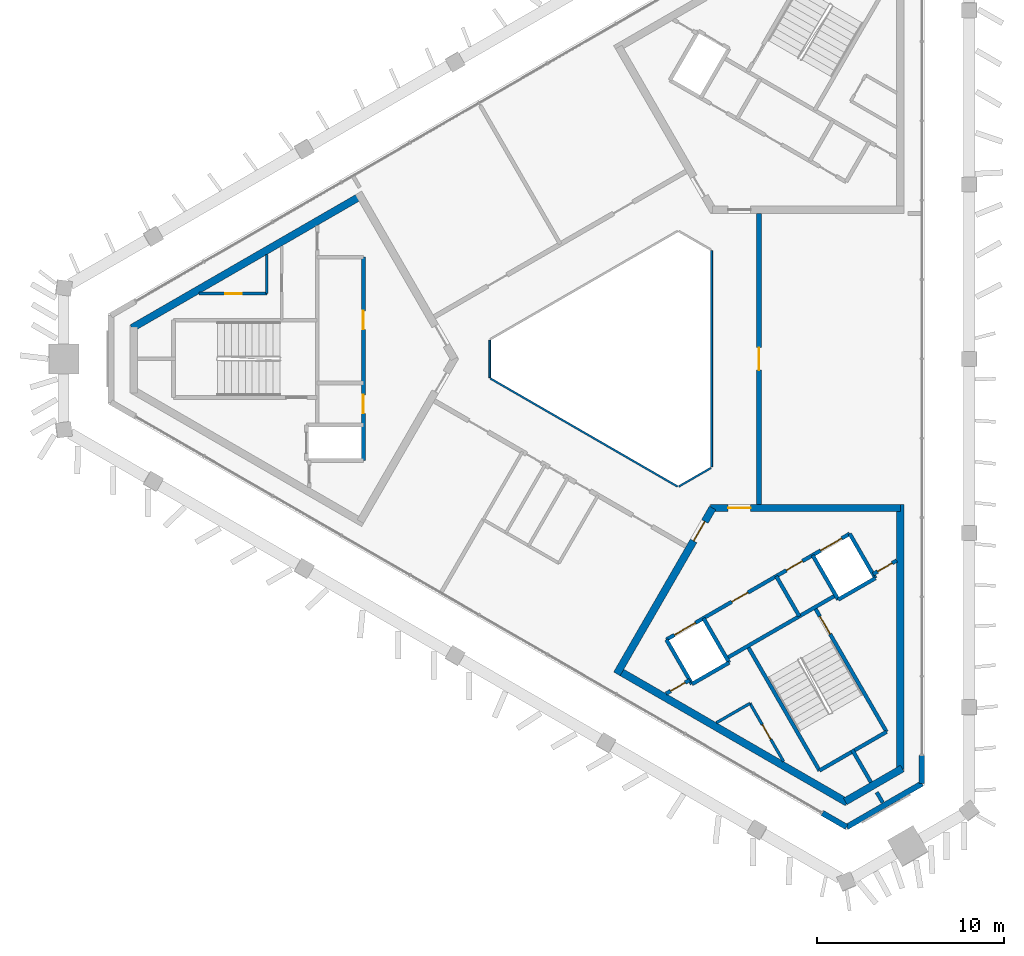
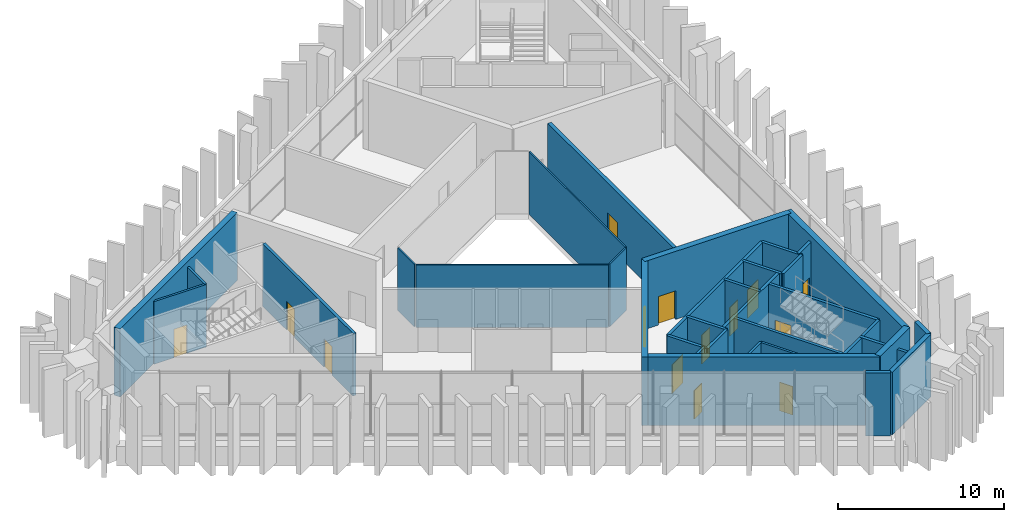
# One storey, part 9 of 13: 35 walls, 14 doors, 14 openings.
"""IFC4 building model written with IfcOpenShell, lengths in metres."""

from ifc_helpers import new_model, si_unit, direction, frame, frame_2d, origin, place, context, subcontext, project, spatial, rectangle, extrude, material, layer, layer_set, type_object, element, fill, save


model = new_model("IFC4")

# Units and contexts
model_context = context("Model", 3, precision=1e-05, world=origin(), true_north=direction((0.0, 1.0)))
body_context = subcontext(model_context, "Body", "Model", "MODEL_VIEW")
ifc_project = project(units=[si_unit("LENGTHUNIT", "METRE"), si_unit("AREAUNIT", "SQUARE_METRE"), si_unit("VOLUMEUNIT", "CUBIC_METRE"), si_unit("PLANEANGLEUNIT", "RADIAN"), si_unit("MASSUNIT", "GRAM", prefix="KILO")], contexts=[model_context])

# Site, building, storey
site_placement = place(None, origin())
site = spatial("IfcSite", under=ifc_project, at=site_placement, CompositionType="ELEMENT")
building_placement = place(site_placement, origin())
building = spatial("IfcBuilding", under=site, at=building_placement, Name="Jabali Bay Hotel Tower and Convention Centre", CompositionType="ELEMENT")
storey_placement = place(building_placement, frame((0.0, 0.0, 310.800048828125)))
storey = spatial("IfcBuildingStorey", under=building, at=storey_placement, Name="L76", CompositionType="ELEMENT", Elevation=310.800048828125)

# Walls
ifc_material_1 = material(Name="Fire-resistant glazing", Category="glass")
ifc_layer_1 = layer(ifc_material_1, 0.10009765625)
ifc_layer_set_1 = layer_set([ifc_layer_1], Name="Fire-resistant glazing")
wall_type_1 = type_object("IfcWallType", Name="Atrium glazed screen 100", PredefinedType="PARTITIONING", material=ifc_layer_set_1)
wall_1_placement = place(storey_placement, frame((79.56005859375, 74.205810546875, 0.0), z_axis=(0.0, 0.0, 1.0), x_axis=(0.0, 1.0, 0.0)))
element("IfcWall", 1, at=wall_1_placement, inside=storey, type_object=wall_type_1, Name="Atrium screen 1 L76", PredefinedType="PARTITIONING", context=body_context, shape_type="SweptSolid", body=[
    extrude(rectangle(XDim=11.58837890625, YDim=0.10009765625, at=frame_2d((5.794189453125, 0.0))), origin(), (0.0, 0.0, 1.0), 4.599853515625),
])
wall_2_placement = place(storey_placement, frame((67.672119140625, 81.0, 0.0), z_axis=(0.0, 0.0, 1.0), x_axis=(0.0, -1.0, 0.0)))
element("IfcWall", 2, at=wall_2_placement, inside=storey, type_object=wall_type_1, Name="Atrium screen 4 L76", PredefinedType="PARTITIONING", context=body_context, shape_type="SweptSolid", body=[
    extrude(rectangle(XDim=2.0, YDim=0.10009765625, at=frame_2d((1.0, 0.0))), origin(), (0.0, 0.0, 1.0), 4.599853515625),
])
wall_3_placement = place(storey_placement, frame((67.7021484375, 78.947998046875, 0.0), z_axis=(0.0, 0.0, 1.0), x_axis=(0.866026658274, -0.499997827154, 0.0)))
element("IfcWall", 3, at=wall_3_placement, inside=storey, type_object=wall_type_1, Name="Atrium screen 5 L76", PredefinedType="PARTITIONING", context=body_context, shape_type="SweptSolid", body=[
    extrude(rectangle(XDim=11.58837890625, YDim=0.10009765625, at=frame_2d((5.794189453125, 0.0))), origin(), (0.0, 0.0, 1.0), 4.599853515625),
])
wall_4_placement = place(storey_placement, frame((77.7978515625, 73.15380859375, 0.0), z_axis=(0.0, 0.0, 1.0), x_axis=(0.866041268327, 0.499972520799, 0.0)))
element("IfcWall", 4, at=wall_4_placement, inside=storey, type_object=wall_type_1, Name="Atrium screen 6 L76", PredefinedType="PARTITIONING", context=body_context, shape_type="SweptSolid", body=[
    extrude(rectangle(XDim=2.0, YDim=0.10009765625, at=frame_2d((1.0, 0.0))), origin(), (0.0, 0.0, 1.0), 4.599853515625),
])
ifc_material_2 = material(Name="Concrete C40", Category="concrete")
ifc_layer_2 = layer(ifc_material_2, 0.199951171875)
ifc_layer_set_2 = layer_set([ifc_layer_2], Name="Concrete C40")
wall_type_2 = type_object("IfcWallType", Name="Core partition wall 200", PredefinedType="PARTITIONING", material=ifc_layer_set_2)
wall_5_placement = place(storey_placement, frame((87.090087890625, 59.0595703125, 0.0), z_axis=(0.0, 0.0, 1.0), x_axis=(0.499941815747, -0.866058993873, 0.0)))
element("IfcWall", 5, at=wall_5_placement, inside=storey, type_object=wall_type_2, Name="Core wall 2.4 L76", PredefinedType="PARTITIONING", context=body_context, shape_type="SweptSolid", body=[
    extrude(rectangle(XDim=2.023193359375, YDim=0.199951171875, at=frame_2d((1.01171875, 0.0))), origin(), (0.0, 0.0, 1.0), 4.599853515625),
])

# Wall, opening, door
wall_6_placement = place(storey_placement, frame((77.119873046875, 62.055908203125, 0.0), z_axis=(0.0, 0.0, 1.0), x_axis=(0.866054810376, 0.49994906283, 0.0)))
wall_6 = element("IfcWall", 6, at=wall_6_placement, inside=storey, type_object=wall_type_2, Name="Core wall 2.11 L76", PredefinedType="PARTITIONING", context=body_context, shape_type="SweptSolid", body=[
    extrude(rectangle(XDim=1.461181640625, YDim=0.199951171875, at=frame_2d((0.73046875, 0.0))), origin(), (0.0, 0.0, 1.0), 4.599853515625),
])
opening_1_placement = place(wall_6_placement, frame((0.280517578125, 0.0, 0.0)))
opening_1 = element("IfcOpeningElement", 7, at=opening_1_placement, cuts=wall_6, Name="Opening D1707", PredefinedType="OPENING", context=body_context, shape_type="SweptSolid", body=[
    extrude(rectangle(XDim=0.89990234375, YDim=2.10009765625, at=frame_2d((0.449951171875, 1.050048828125))), frame((0.0, 0.1103515625, 0.0), z_axis=(0.0, -1.0, 0.0), x_axis=(1.0, 0.0, 0.0)), (0.0, 0.0, 1.0), 0.220947265625),
])
ifc_material_3 = material(Name="Fire-rated steel door", Category="steel")
door_type_1 = type_object("IfcDoorType", Name="Vestibule fire door 900 x 2100", OperationType="NOTDEFINED", PredefinedType="NOTDEFINED", material=ifc_material_3)
door_1_placement = place(opening_1_placement, origin())
door_1 = element("IfcDoor", 8, at=door_1_placement, inside=storey, type_object=door_type_1, Name="Vestibule fire door D1707", OperationType="SINGLE_SWING_LEFT", OverallHeight=2.10009765625, OverallWidth=0.89990234375, PredefinedType="NOTDEFINED", context=body_context, shape_type="SweptSolid", body=[
    extrude(rectangle(XDim=0.89990234375, YDim=2.10009765625, at=frame_2d((0.449951171875, 1.050048828125))), frame((0.0, 0.02490234375, 0.0), z_axis=(0.0, -1.0, 0.0), x_axis=(1.0, 0.0, 0.0)), (0.0, 0.0, 1.0), 0.050048828125),
])
fill(opening_1, door_1)

wall_7_placement = place(storey_placement, frame((88.214599609375, 68.46142578125, 0.0), z_axis=(0.0, 0.0, 1.0), x_axis=(0.865982457891, 0.500074377092, 0.0)))
wall_7 = element("IfcWall", 9, at=wall_7_placement, inside=storey, type_object=wall_type_2, Name="Core wall 2.12 L76", PredefinedType="PARTITIONING", context=body_context, shape_type="SweptSolid", body=[
    extrude(rectangle(XDim=1.461181640625, YDim=0.199951171875, at=frame_2d((0.73046875, 0.0))), origin(), (0.0, 0.0, 1.0), 4.599853515625),
])
opening_2_placement = place(wall_7_placement, frame((0.280517578125, 0.0, 0.0)))
opening_2 = element("IfcOpeningElement", 10, at=opening_2_placement, cuts=wall_7, Name="Opening D1706", PredefinedType="OPENING", context=body_context, shape_type="SweptSolid", body=[
    extrude(rectangle(XDim=0.89990234375, YDim=2.10009765625, at=frame_2d((0.449951171875, 1.050048828125))), frame((0.0, 0.1103515625, 0.0), z_axis=(0.0, -1.0, 0.0), x_axis=(1.0, 0.0, 0.0)), (0.0, 0.0, 1.0), 0.220947265625),
])
door_2_placement = place(opening_2_placement, origin())
door_2 = element("IfcDoor", 11, at=door_2_placement, inside=storey, type_object=door_type_1, Name="Vestibule fire door D1706", OperationType="SINGLE_SWING_LEFT", OverallHeight=2.10009765625, OverallWidth=0.89990234375, PredefinedType="NOTDEFINED", context=body_context, shape_type="SweptSolid", body=[
    extrude(rectangle(XDim=0.89990234375, YDim=2.10009765625, at=frame_2d((0.449951171875, 1.050048828125))), frame((0.0, 0.02490234375, 0.0), z_axis=(0.0, -1.0, 0.0), x_axis=(1.0, 0.0, 0.0)), (0.0, 0.0, 1.0), 0.050048828125),
])
fill(opening_2, door_2)

ifc_material_4 = material(Name="Fire-rated board partition")
ifc_layer_3 = layer(ifc_material_4, 0.14990234375)
ifc_layer_set_3 = layer_set([ifc_layer_3], Name="Fire-rated board partition")
wall_type_3 = type_object("IfcWallType", Name="Core room partition 150", PredefinedType="PARTITIONING", material=ifc_layer_set_3)
wall_8_placement = place(storey_placement, frame((55.719970703125, 83.5, 0.0), z_axis=(0.0, 0.0, 1.0), x_axis=(-1.0, 0.0, 0.0)))
wall_8 = element("IfcWall", 12, at=wall_8_placement, inside=storey, type_object=wall_type_3, Name="Core wall 0.1 L76", PredefinedType="PARTITIONING", context=body_context, shape_type="SweptSolid", body=[
    extrude(rectangle(XDim=3.61767578125, YDim=0.14990234375, at=frame_2d((1.808837890625, 0.0))), origin(), (0.0, 0.0, 1.0), 4.599853515625),
])
opening_3_placement = place(wall_8_placement, frame((1.33154296875, 0.0, 0.0)))
opening_3 = element("IfcOpeningElement", 13, at=opening_3_placement, cuts=wall_8, Name="Opening D1692", PredefinedType="OPENING", context=body_context, shape_type="SweptSolid", body=[
    extrude(rectangle(XDim=0.89990234375, YDim=2.10009765625, at=frame_2d((0.449951171875, 1.050048828125))), frame((0.0, 0.08544921875, 0.0), z_axis=(0.0, -1.0, 0.0), x_axis=(1.0, 0.0, 0.0)), (0.0, 0.0, 1.0), 0.1708984375),
])
door_type_2 = type_object("IfcDoorType", Name="Core room door 900 x 2100", OperationType="NOTDEFINED", PredefinedType="NOTDEFINED", material=ifc_material_3)
door_3_placement = place(opening_3_placement, origin())
door_3 = element("IfcDoor", 14, at=door_3_placement, inside=storey, type_object=door_type_2, Name="Core room door D1692", OperationType="SINGLE_SWING_LEFT", OverallHeight=2.10009765625, OverallWidth=0.89990234375, PredefinedType="NOTDEFINED", context=body_context, shape_type="SweptSolid", body=[
    extrude(rectangle(XDim=0.89990234375, YDim=2.10009765625, at=frame_2d((0.449951171875, 1.050048828125))), frame((0.0, 0.02490234375, 0.0), z_axis=(0.0, -1.0, 0.0), x_axis=(1.0, 0.0, 0.0)), (0.0, 0.0, 1.0), 0.050048828125),
])
fill(opening_3, door_3)

# Wall
wall_9_placement = place(storey_placement, frame((55.719970703125, 85.5888671875, 0.0), z_axis=(0.0, 0.0, 1.0), x_axis=(0.0, -1.0, 0.0)))
element("IfcWall", 15, at=wall_9_placement, inside=storey, type_object=wall_type_3, Name="Core wall 0.13 L76", PredefinedType="PARTITIONING", context=body_context, shape_type="SweptSolid", body=[
    extrude(rectangle(XDim=2.0888671875, YDim=0.14990234375, at=frame_2d((1.04443359375, 0.0))), origin(), (0.0, 0.0, 1.0), 4.599853515625),
])

# Wall, opening, door
wall_10_placement = place(storey_placement, frame((81.618896484375, 61.53564453125, 0.0), z_axis=(0.0, 0.0, 1.0), x_axis=(0.499992664208, -0.866029639064, 0.0)))
wall_10 = element("IfcWall", 16, at=wall_10_placement, inside=storey, type_object=wall_type_3, Name="Core wall 2.1 L76", PredefinedType="PARTITIONING", context=body_context, shape_type="SweptSolid", body=[
    extrude(rectangle(XDim=3.59765625, YDim=0.14990234375, at=frame_2d((1.798828125, 0.0))), origin(), (0.0, 0.0, 1.0), 4.599853515625),
])
opening_4_placement = place(wall_10_placement, frame((1.321533203125, 0.0, 0.0)))
opening_4 = element("IfcOpeningElement", 17, at=opening_4_placement, cuts=wall_10, Name="Opening D1709", PredefinedType="OPENING", context=body_context, shape_type="SweptSolid", body=[
    extrude(rectangle(XDim=0.89990234375, YDim=2.10009765625, at=frame_2d((0.449951171875, 1.050048828125))), frame((0.0, 0.08544921875, 0.0), z_axis=(0.0, -1.0, 0.0), x_axis=(1.0, 0.0, 0.0)), (0.0, 0.0, 1.0), 0.1708984375),
])
door_4_placement = place(opening_4_placement, origin())
door_4 = element("IfcDoor", 18, at=door_4_placement, inside=storey, type_object=door_type_2, Name="Core room door D1709", OperationType="SINGLE_SWING_LEFT", OverallHeight=2.10009765625, OverallWidth=0.89990234375, PredefinedType="NOTDEFINED", context=body_context, shape_type="SweptSolid", body=[
    extrude(rectangle(XDim=0.89990234375, YDim=2.10009765625, at=frame_2d((0.449951171875, 1.050048828125))), frame((0.0, 0.02490234375, 0.0), z_axis=(0.0, -1.0, 0.0), x_axis=(1.0, 0.0, 0.0)), (0.0, 0.0, 1.0), 0.050048828125),
])
fill(opening_4, door_4)

# Wall
wall_11_placement = place(storey_placement, frame((79.820068359375, 60.4970703125, 0.0), z_axis=(0.0, 0.0, 1.0), x_axis=(0.866021168401, 0.500007335828, 0.0)))
element("IfcWall", 19, at=wall_11_placement, inside=storey, type_object=wall_type_3, Name="Core wall 2.15 L76", PredefinedType="PARTITIONING", context=body_context, shape_type="SweptSolid", body=[
    extrude(rectangle(XDim=2.0771484375, YDim=0.14990234375, at=frame_2d((1.03857421875, 0.0))), origin(), (0.0, 0.0, 1.0), 4.599853515625),
])

# Wall, openings, doors
ifc_layer_4 = layer(ifc_material_2, 0.199951171875)
ifc_layer_set_4 = layer_set([ifc_layer_4], Name="Concrete C40")
wall_type_4 = type_object("IfcWallType", Name="Core stair wall 200", PredefinedType="SOLIDWALL", material=ifc_layer_set_4)
wall_12_placement = place(storey_placement, frame((60.89990234375, 85.449951171875, 0.0), z_axis=(0.0, 0.0, 1.0), x_axis=(0.0, -1.0, 0.0)))
wall_12 = element("IfcWall", 20, at=wall_12_placement, inside=storey, type_object=wall_type_4, Name="Core wall 0.8 L76", PredefinedType="SOLIDWALL", context=body_context, shape_type="SweptSolid", body=[
    extrude(rectangle(XDim=10.89990234375, YDim=0.199951171875, at=frame_2d((5.449951171875, 0.0))), origin(), (0.0, 0.0, 1.0), 4.599853515625),
])
opening_5_placement = place(wall_12_placement, frame((2.875, 0.0, 0.0)))
opening_5 = element("IfcOpeningElement", 21, at=opening_5_placement, cuts=wall_12, Name="Opening D1686", PredefinedType="OPENING", context=body_context, shape_type="SweptSolid", body=[
    extrude(rectangle(XDim=1.0, YDim=2.10009765625, at=frame_2d((0.5, 1.050048828125))), frame((0.0, 0.1103515625, 0.0), z_axis=(0.0, -1.0, 0.0), x_axis=(1.0, 0.0, 0.0)), (0.0, 0.0, 1.0), 0.220947265625),
])
opening_6_placement = place(wall_12_placement, frame((7.375, 0.0, 0.0)))
opening_6 = element("IfcOpeningElement", 22, at=opening_6_placement, cuts=wall_12, Name="Opening D1687", PredefinedType="OPENING", context=body_context, shape_type="SweptSolid", body=[
    extrude(rectangle(XDim=1.0, YDim=2.10009765625, at=frame_2d((0.5, 1.050048828125))), frame((0.0, 0.1103515625, 0.0), z_axis=(0.0, -1.0, 0.0), x_axis=(1.0, 0.0, 0.0)), (0.0, 0.0, 1.0), 0.220947265625),
])
door_type_3 = type_object("IfcDoorType", Name="Core room door 1000 x 2100", OperationType="NOTDEFINED", PredefinedType="NOTDEFINED", material=ifc_material_3)
door_5_placement = place(opening_5_placement, origin())
door_5 = element("IfcDoor", 23, at=door_5_placement, inside=storey, type_object=door_type_3, Name="Core room door D1686", OperationType="SINGLE_SWING_RIGHT", OverallHeight=2.10009765625, OverallWidth=1.0, PredefinedType="NOTDEFINED", context=body_context, shape_type="SweptSolid", body=[
    extrude(rectangle(XDim=1.0, YDim=2.10009765625, at=frame_2d((0.5, 1.050048828125))), frame((0.0, 0.02490234375, 0.0), z_axis=(0.0, -1.0, 0.0), x_axis=(1.0, 0.0, 0.0)), (0.0, 0.0, 1.0), 0.050048828125),
])
fill(opening_5, door_5)
door_6_placement = place(opening_6_placement, origin())
door_6 = element("IfcDoor", 24, at=door_6_placement, inside=storey, type_object=door_type_3, Name="Core room door D1687", OperationType="SINGLE_SWING_RIGHT", OverallHeight=2.10009765625, OverallWidth=1.0, PredefinedType="NOTDEFINED", context=body_context, shape_type="SweptSolid", body=[
    extrude(rectangle(XDim=1.0, YDim=2.10009765625, at=frame_2d((0.5, 1.050048828125))), frame((0.0, 0.02490234375, 0.0), z_axis=(0.0, -1.0, 0.0), x_axis=(1.0, 0.0, 0.0)), (0.0, 0.0, 1.0), 0.050048828125),
])
fill(opening_6, door_6)

# Walls
for number, where, z_axis, x_axis, name in (
    (25, (77.13525390625, 64.95166015625, 0.0), (0.0, 0.0, 1.0), (0.499996545922, -0.866027397988, 0.0), "Core wall 2.0 L76"),
    (26, (79.127197265625, 66.1015625, 0.0), (0.0, 0.0, 1.0), (0.499996545922, -0.866027397988, 0.0), "Core wall 2.2 L76"),
):
    element("IfcWall", number, at=place(storey_placement, frame(where, z_axis=z_axis, x_axis=x_axis)), inside=storey, type_object=wall_type_4, Name=name, PredefinedType="SOLIDWALL", context=body_context, shape_type="SweptSolid", body=[
        extrude(rectangle(XDim=2.75, YDim=0.199951171875, at=frame_2d((1.375, 0.0))), origin(), (0.0, 0.0, 1.0), 4.599853515625),
    ])
wall_13_placement = place(storey_placement, frame((81.492919921875, 64.603759765625, 0.0), z_axis=(0.0, 0.0, 1.0), x_axis=(0.500006057782, -0.866021906294, 0.0)))
element("IfcWall", 27, at=wall_13_placement, inside=storey, type_object=wall_type_4, Name="Core wall 2.3 L76", PredefinedType="SOLIDWALL", context=body_context, shape_type="SweptSolid", body=[
    extrude(rectangle(XDim=7.7001953125, YDim=0.199951171875, at=frame_2d((3.85009765625, 0.0))), origin(), (0.0, 0.0, 1.0), 4.599853515625),
])
wall_14_placement = place(storey_placement, frame((83.024169921875, 68.3515625, 0.0), z_axis=(0.0, 0.0, 1.0), x_axis=(0.50000366821, -0.866023285932, 0.0)))
element("IfcWall", 28, at=wall_14_placement, inside=storey, type_object=wall_type_4, Name="Core wall 2.5 L76", PredefinedType="SOLIDWALL", context=body_context, shape_type="SweptSolid", body=[
    extrude(rectangle(XDim=2.47998046875, YDim=0.199951171875, at=frame_2d((1.239990234375, 0.0))), origin(), (0.0, 0.0, 1.0), 4.599853515625),
])

# Wall, opening, door
wall_15_placement = place(storey_placement, frame((85.0869140625, 66.6787109375, 0.0), z_axis=(0.0, 0.0, 1.0), x_axis=(0.500019787375, -0.866013979237, 0.0)))
wall_15 = element("IfcWall", 29, at=wall_15_placement, inside=storey, type_object=wall_type_4, Name="Core wall 2.6 L76", PredefinedType="SOLIDWALL", context=body_context, shape_type="SweptSolid", body=[
    extrude(rectangle(XDim=7.699951171875, YDim=0.199951171875, at=frame_2d((3.85009765625, 0.0))), origin(), (0.0, 0.0, 1.0), 4.599853515625),
])
opening_7_placement = place(wall_15_placement, frame((0.550048828125, 0.0, 0.0)))
opening_7 = element("IfcOpeningElement", 30, at=opening_7_placement, cuts=wall_15, Name="Opening D1708", PredefinedType="OPENING", context=body_context, shape_type="SweptSolid", body=[
    extrude(rectangle(XDim=1.10009765625, YDim=2.10009765625, at=frame_2d((0.550048828125, 1.050048828125))), frame((0.0, 0.1103515625, 0.0), z_axis=(0.0, -1.0, 0.0), x_axis=(1.0, 0.0, 0.0)), (0.0, 0.0, 1.0), 0.220947265625),
])
door_type_4 = type_object("IfcDoorType", Name="Stair fire door 1100 x 2100", OperationType="NOTDEFINED", PredefinedType="NOTDEFINED", material=ifc_material_3)
door_7_placement = place(opening_7_placement, origin())
door_7 = element("IfcDoor", 31, at=door_7_placement, inside=storey, type_object=door_type_4, Name="Stair fire door D1708", OperationType="SINGLE_SWING_RIGHT", OverallHeight=2.10009765625, OverallWidth=1.10009765625, PredefinedType="NOTDEFINED", context=body_context, shape_type="SweptSolid", body=[
    extrude(rectangle(XDim=1.10009765625, YDim=2.10009765625, at=frame_2d((0.550048828125, 1.050048828125))), frame((0.0, 0.02490234375, 0.0), z_axis=(0.0, -1.0, 0.0), x_axis=(1.0, 0.0, 0.0)), (0.0, 0.0, 1.0), 0.050048828125),
])
fill(opening_7, door_7)

# Walls
for number, where, z_axis, x_axis, name in (
    (32, (84.972900390625, 69.4765625, 0.0), (0.0, 0.0, 1.0), (0.499996545922, -0.866027397988, 0.0), "Core wall 2.7 L76"),
    (33, (86.964599609375, 70.62646484375, 0.0), (0.0, 0.0, 1.0), (0.499996545922, -0.866027397988, 0.0), "Core wall 2.8 L76"),
):
    element("IfcWall", number, at=place(storey_placement, frame(where, z_axis=z_axis, x_axis=x_axis)), inside=storey, type_object=wall_type_4, Name=name, PredefinedType="SOLIDWALL", context=body_context, shape_type="SweptSolid", body=[
        extrude(rectangle(XDim=2.75, YDim=0.199951171875, at=frame_2d((1.375, 0.0))), origin(), (0.0, 0.0, 1.0), 4.599853515625),
    ])

# Wall, openings, doors
wall_16_placement = place(storey_placement, frame((77.13525390625, 64.95166015625, 0.0), z_axis=(0.0, 0.0, 1.0), x_axis=(0.866031916153, 0.499988720078, 0.0)))
wall_16 = element("IfcWall", 34, at=wall_16_placement, inside=storey, type_object=wall_type_4, Name="Core wall 2.9 L76", PredefinedType="SOLIDWALL", context=body_context, shape_type="SweptSolid", body=[
    extrude(rectangle(XDim=11.349853515625, YDim=0.199951171875, at=frame_2d((5.6748046875, 0.0))), origin(), (0.0, 0.0, 1.0), 4.599853515625),
])
opening_8_placement = place(wall_16_placement, frame((0.5, 0.0, 0.0)))
opening_8 = element("IfcOpeningElement", 35, at=opening_8_placement, cuts=wall_16, Name="Opening LD11-L76", PredefinedType="OPENING", context=body_context, shape_type="SweptSolid", body=[
    extrude(rectangle(XDim=1.300048828125, YDim=2.10009765625, at=frame_2d((0.64990234375, 1.050048828125))), frame((0.0, 0.1103515625, 0.0), z_axis=(0.0, -1.0, 0.0), x_axis=(1.0, 0.0, 0.0)), (0.0, 0.0, 1.0), 0.220947265625),
])
opening_9_placement = place(wall_16_placement, frame((9.550048828125, 0.0, 0.0)))
opening_9 = element("IfcOpeningElement", 36, at=opening_9_placement, cuts=wall_16, Name="Opening LD15-L76", PredefinedType="OPENING", context=body_context, shape_type="SweptSolid", body=[
    extrude(rectangle(XDim=1.300048828125, YDim=2.10009765625, at=frame_2d((0.64990234375, 1.050048828125))), frame((0.0, 0.1103515625, 0.0), z_axis=(0.0, -1.0, 0.0), x_axis=(1.0, 0.0, 0.0)), (0.0, 0.0, 1.0), 0.220947265625),
])
opening_10_placement = place(wall_16_placement, frame((4.050048828125, 0.0, 0.0)))
opening_10 = element("IfcOpeningElement", 37, at=opening_10_placement, cuts=wall_16, Name="Opening D1704", PredefinedType="OPENING", context=body_context, shape_type="SweptSolid", body=[
    extrude(rectangle(XDim=1.0, YDim=2.10009765625, at=frame_2d((0.5, 1.050048828125))), frame((0.0, 0.1103515625, 0.0), z_axis=(0.0, -1.0, 0.0), x_axis=(1.0, 0.0, 0.0)), (0.0, 0.0, 1.0), 0.220947265625),
])
opening_11_placement = place(wall_16_placement, frame((7.425048828125, 0.0, 0.0)))
opening_11 = element("IfcOpeningElement", 38, at=opening_11_placement, cuts=wall_16, Name="Opening D1705", PredefinedType="OPENING", context=body_context, shape_type="SweptSolid", body=[
    extrude(rectangle(XDim=1.0, YDim=2.10009765625, at=frame_2d((0.5, 1.050048828125))), frame((0.0, 0.1103515625, 0.0), z_axis=(0.0, -1.0, 0.0), x_axis=(1.0, 0.0, 0.0)), (0.0, 0.0, 1.0), 0.220947265625),
])
door_8_placement = place(opening_10_placement, origin())
door_8 = element("IfcDoor", 39, at=door_8_placement, inside=storey, type_object=door_type_3, Name="Core room door D1704", OperationType="SINGLE_SWING_RIGHT", OverallHeight=2.10009765625, OverallWidth=1.0, PredefinedType="NOTDEFINED", context=body_context, shape_type="SweptSolid", body=[
    extrude(rectangle(XDim=1.0, YDim=2.10009765625, at=frame_2d((0.5, 1.050048828125))), frame((0.0, 0.02490234375, 0.0), z_axis=(0.0, -1.0, 0.0), x_axis=(1.0, 0.0, 0.0)), (0.0, 0.0, 1.0), 0.050048828125),
])
fill(opening_10, door_8)
door_9_placement = place(opening_11_placement, origin())
door_9 = element("IfcDoor", 40, at=door_9_placement, inside=storey, type_object=door_type_3, Name="Core room door D1705", OperationType="SINGLE_SWING_RIGHT", OverallHeight=2.10009765625, OverallWidth=1.0, PredefinedType="NOTDEFINED", context=body_context, shape_type="SweptSolid", body=[
    extrude(rectangle(XDim=1.0, YDim=2.10009765625, at=frame_2d((0.5, 1.050048828125))), frame((0.0, 0.02490234375, 0.0), z_axis=(0.0, -1.0, 0.0), x_axis=(1.0, 0.0, 0.0)), (0.0, 0.0, 1.0), 0.050048828125),
])
fill(opening_11, door_9)
ifc_material_5 = material(Name="Stainless steel landing door", Category="steel")
door_type_5 = type_object("IfcDoorType", Name="Landing door 1300 x 2100", OperationType="NOTDEFINED", PredefinedType="NOTDEFINED", material=ifc_material_5)
door_10_placement = place(opening_8_placement, origin())
door_10 = element("IfcDoor", 41, at=door_10_placement, inside=storey, type_object=door_type_5, Name="Landing doors LD11-L76", OperationType="SLIDING_TO_RIGHT", OverallHeight=2.10009765625, OverallWidth=1.300048828125, PredefinedType="NOTDEFINED", context=body_context, shape_type="SweptSolid", body=[
    extrude(rectangle(XDim=1.300048828125, YDim=2.10009765625, at=frame_2d((0.64990234375, 1.050048828125))), frame((0.0, 0.02490234375, 0.0), z_axis=(0.0, -1.0, 0.0), x_axis=(1.0, 0.0, 0.0)), (0.0, 0.0, 1.0), 0.050048828125),
])
fill(opening_8, door_10)
door_11_placement = place(opening_9_placement, origin())
door_11 = element("IfcDoor", 42, at=door_11_placement, inside=storey, type_object=door_type_5, Name="Landing doors LD15-L76", OperationType="SLIDING_TO_RIGHT", OverallHeight=2.10009765625, OverallWidth=1.300048828125, PredefinedType="NOTDEFINED", context=body_context, shape_type="SweptSolid", body=[
    extrude(rectangle(XDim=1.300048828125, YDim=2.10009765625, at=frame_2d((0.64990234375, 1.050048828125))), frame((0.0, 0.02490234375, 0.0), z_axis=(0.0, -1.0, 0.0), x_axis=(1.0, 0.0, 0.0)), (0.0, 0.0, 1.0), 0.050048828125),
])
fill(opening_9, door_11)

# Walls
wall_17_placement = place(storey_placement, frame((80.3671875, 63.953857421875, 0.0), z_axis=(0.0, 0.0, 1.0), x_axis=(0.866026575979, 0.499997969693, 0.0)))
element("IfcWall", 43, at=wall_17_placement, inside=storey, type_object=wall_type_4, Name="Core wall 2.10 L76", PredefinedType="SOLIDWALL", context=body_context, shape_type="SweptSolid", body=[
    extrude(rectangle(XDim=6.75, YDim=0.199951171875, at=frame_2d((3.375, 0.0))), origin(), (0.0, 0.0, 1.0), 4.599853515625),
])
wall_18_placement = place(storey_placement, frame((78.51025390625, 62.570068359375, 0.0), z_axis=(0.0, 0.0, 1.0), x_axis=(0.866053019151, 0.499952165731, 0.0)))
element("IfcWall", 44, at=wall_18_placement, inside=storey, type_object=wall_type_4, Name="Core wall 2.13 L76", PredefinedType="SOLIDWALL", context=body_context, shape_type="SweptSolid", body=[
    extrude(rectangle(XDim=2.300048828125, YDim=0.199951171875, at=frame_2d((1.14990234375, 0.0))), origin(), (0.0, 0.0, 1.0), 4.599853515625),
])
wall_19_placement = place(storey_placement, frame((86.347900390625, 67.094970703125, 0.0), z_axis=(0.0, 0.0, 1.0), x_axis=(0.86602648383, 0.499998129301, 0.0)))
element("IfcWall", 45, at=wall_19_placement, inside=storey, type_object=wall_type_4, Name="Core wall 2.14 L76", PredefinedType="SOLIDWALL", context=body_context, shape_type="SweptSolid", body=[
    extrude(rectangle(XDim=2.2998046875, YDim=0.199951171875, at=frame_2d((1.14990234375, 0.0))), origin(), (0.0, 0.0, 1.0), 4.599853515625),
])
wall_20_placement = place(storey_placement, frame((85.343017578125, 57.935302734375, 0.0), z_axis=(0.0, 0.0, 1.0), x_axis=(0.866004344652, 0.500036473714, 0.0)))
element("IfcWall", 46, at=wall_20_placement, inside=storey, type_object=wall_type_4, Name="Core wall 2.16 L76", PredefinedType="SOLIDWALL", context=body_context, shape_type="SweptSolid", body=[
    extrude(rectangle(XDim=4.150146484375, YDim=0.199951171875, at=frame_2d((2.0751953125, 0.0))), origin(), (0.0, 0.0, 1.0), 4.599853515625),
])
ifc_material_6 = material(Name="Concrete C60", Category="concrete")
ifc_layer_5 = layer(ifc_material_6, 0.39990234375)
ifc_layer_set_5 = layer_set([ifc_layer_5], Name="Concrete C60")
wall_type_5 = type_object("IfcWallType", Name="Core wall 400", PredefinedType="SHEAR", material=ifc_layer_set_5)
wall_21_placement = place(storey_placement, frame((60.73681640625, 88.716064453125, 0.0), z_axis=(0.0, 0.0, 1.0), x_axis=(-0.866028812667, -0.499994095595, 0.0)))
element("IfcWall", 47, at=wall_21_placement, inside=storey, type_object=wall_type_5, Name="Core wall 1.2 L76", PredefinedType="SHEAR", context=body_context, shape_type="SweptSolid", body=[
    extrude(rectangle(XDim=14.133544921875, YDim=0.39990234375, at=frame_2d((7.06689453125, 0.0))), origin(), (0.0, 0.0, 1.0), 5.0),
])

# Wall, opening, door
wall_22_placement = place(storey_placement, frame((79.615478515625, 72.005859375, 0.0), z_axis=(0.0, 0.0, 1.0), x_axis=(-0.50000177223, -0.866024380585, 0.0)))
wall_22 = element("IfcWall", 48, at=wall_22_placement, inside=storey, type_object=wall_type_5, Name="Core wall 3.1 L76", PredefinedType="SHEAR", context=body_context, shape_type="SweptSolid", body=[
    extrude(rectangle(XDim=10.2646484375, YDim=0.39990234375, at=frame_2d((5.13232421875, 0.0))), origin(), (0.0, 0.0, 1.0), 5.0),
])
opening_12_placement = place(wall_22_placement, frame((0.83447265625, 0.0, 0.0)))
opening_12 = element("IfcOpeningElement", 49, at=opening_12_placement, cuts=wall_22, Name="Opening D1702", PredefinedType="OPENING", context=body_context, shape_type="SweptSolid", body=[
    extrude(rectangle(XDim=1.199951171875, YDim=2.10009765625, at=frame_2d((0.60009765625, 1.050048828125))), frame((0.0, 0.21044921875, 0.0), z_axis=(0.0, -1.0, 0.0), x_axis=(1.0, 0.0, 0.0)), (0.0, 0.0, 1.0), 0.4208984375),
])
door_type_6 = type_object("IfcDoorType", Name="Corridor end fire door 1200 x 2100", OperationType="NOTDEFINED", PredefinedType="NOTDEFINED", material=ifc_material_3)
door_12_placement = place(opening_12_placement, origin())
door_12 = element("IfcDoor", 50, at=door_12_placement, inside=storey, type_object=door_type_6, Name="Corridor end fire door D1702", OperationType="SINGLE_SWING_RIGHT", OverallHeight=2.10009765625, OverallWidth=1.199951171875, PredefinedType="NOTDEFINED", context=body_context, shape_type="SweptSolid", body=[
    extrude(rectangle(XDim=1.199951171875, YDim=2.10009765625, at=frame_2d((0.60009765625, 1.050048828125))), frame((0.0, 0.02490234375, 0.0), z_axis=(0.0, -1.0, 0.0), x_axis=(1.0, 0.0, 0.0)), (0.0, 0.0, 1.0), 0.050048828125),
])
fill(opening_12, door_12)

# Walls
wall_23_placement = place(storey_placement, frame((74.583251953125, 63.28955078125, 0.0), z_axis=(0.0, 0.0, 1.0), x_axis=(0.866024494188, -0.500001575463, 0.0)))
element("IfcWall", 51, at=wall_23_placement, inside=storey, type_object=wall_type_5, Name="Core wall 3.2 L76", PredefinedType="SHEAR", context=body_context, shape_type="SweptSolid", body=[
    extrude(rectangle(XDim=14.13330078125, YDim=0.39990234375, at=frame_2d((7.066650390625, 0.0))), origin(), (0.0, 0.0, 1.0), 5.0),
])
wall_24_placement = place(storey_placement, frame((86.72314453125, 56.28076171875, 0.0), z_axis=(0.0, 0.0, 1.0), x_axis=(0.866025485263, 0.499999858875, 0.0)))
element("IfcWall", 52, at=wall_24_placement, inside=storey, type_object=wall_type_5, Name="Core wall 3.3 L76", PredefinedType="SHEAR", context=body_context, shape_type="SweptSolid", body=[
    extrude(rectangle(XDim=3.52978515625, YDim=0.39990234375, at=frame_2d((1.764892578125, 0.0))), origin(), (0.0, 0.0, 1.0), 5.0),
])
wall_25_placement = place(storey_placement, frame((89.679931640625, 57.98779296875, 0.0), z_axis=(0.0, 0.0, 1.0), x_axis=(0.0, 1.0, 0.0)))
element("IfcWall", 53, at=wall_25_placement, inside=storey, type_object=wall_type_5, Name="Core wall 3.4 L76", PredefinedType="SHEAR", context=body_context, shape_type="SweptSolid", body=[
    extrude(rectangle(XDim=14.218017578125, YDim=0.39990234375, at=frame_2d((7.10888671875, 0.0))), origin(), (0.0, 0.0, 1.0), 5.0),
])

# Wall, opening, door
wall_26_placement = place(storey_placement, frame((89.679931640625, 72.005859375, 0.0), z_axis=(0.0, 0.0, 1.0), x_axis=(-1.0, 0.0, 0.0)))
wall_26 = element("IfcWall", 54, at=wall_26_placement, inside=storey, type_object=wall_type_5, Name="Core wall 3.5 L76", PredefinedType="SHEAR", context=body_context, shape_type="SweptSolid", body=[
    extrude(rectangle(XDim=10.179931640625, YDim=0.39990234375, at=frame_2d((5.08984375, 0.0))), origin(), (0.0, 0.0, 1.0), 5.0),
])
opening_13_placement = place(wall_26_placement, frame((8.030029296875, 0.0, 0.0)))
opening_13 = element("IfcOpeningElement", 55, at=opening_13_placement, cuts=wall_26, Name="Opening D1703", PredefinedType="OPENING", context=body_context, shape_type="SweptSolid", body=[
    extrude(rectangle(XDim=1.199951171875, YDim=2.10009765625, at=frame_2d((0.60009765625, 1.050048828125))), frame((0.0, 0.21044921875, 0.0), z_axis=(0.0, -1.0, 0.0), x_axis=(1.0, 0.0, 0.0)), (0.0, 0.0, 1.0), 0.4208984375),
])
door_13_placement = place(opening_13_placement, origin())
door_13 = element("IfcDoor", 56, at=door_13_placement, inside=storey, type_object=door_type_6, Name="Corridor end fire door D1703", OperationType="SINGLE_SWING_LEFT", OverallHeight=2.10009765625, OverallWidth=1.199951171875, PredefinedType="NOTDEFINED", context=body_context, shape_type="SweptSolid", body=[
    extrude(rectangle(XDim=1.199951171875, YDim=2.10009765625, at=frame_2d((0.60009765625, 1.050048828125))), frame((0.0, 0.02490234375, 0.0), z_axis=(0.0, -1.0, 0.0), x_axis=(1.0, 0.0, 0.0)), (0.0, 0.0, 1.0), 0.050048828125),
])
fill(opening_13, door_13)

ifc_layer_6 = layer(ifc_material_6, 0.25)
ifc_layer_set_6 = layer_set([ifc_layer_6], Name="Concrete C60")
wall_type_6 = type_object("IfcWallType", Name="Corridor wall 250", PredefinedType="SHEAR", material=ifc_layer_set_6)
wall_27_placement = place(storey_placement, frame((82.10009765625, 72.205810546875, 0.0), z_axis=(0.0, 0.0, 1.0), x_axis=(0.0, 1.0, 0.0)))
wall_27 = element("IfcWall", 57, at=wall_27_placement, inside=storey, type_object=wall_type_6, Name="Corridor wall 1 L76", PredefinedType="SHEAR", context=body_context, shape_type="SweptSolid", body=[
    extrude(rectangle(XDim=15.58837890625, YDim=0.25, at=frame_2d((7.794189453125, 0.0))), origin(), (0.0, 0.0, 1.0), 4.599853515625),
])
opening_14_placement = place(wall_27_placement, frame((7.194091796875, 0.0, 0.0)))
opening_14 = element("IfcOpeningElement", 58, at=opening_14_placement, cuts=wall_27, Name="Opening 7601", PredefinedType="OPENING", context=body_context, shape_type="SweptSolid", body=[
    extrude(rectangle(XDim=1.199951171875, YDim=2.39990234375, at=frame_2d((0.60009765625, 1.199951171875))), frame((0.0, 0.135498046875, 0.0), z_axis=(0.0, -1.0, 0.0), x_axis=(1.0, 0.0, 0.0)), (0.0, 0.0, 1.0), 0.27099609375),
])
ifc_material_7 = material(Name="Timber", Category="wood")
door_type_7 = type_object("IfcDoorType", Name="Public room door 1200 x 2400", OperationType="NOTDEFINED", PredefinedType="NOTDEFINED", material=ifc_material_7)
door_14_placement = place(opening_14_placement, origin())
door_14 = element("IfcDoor", 59, at=door_14_placement, inside=storey, type_object=door_type_7, Name="Door 7601", OperationType="SINGLE_SWING_RIGHT", OverallHeight=2.39990234375, OverallWidth=1.199951171875, PredefinedType="NOTDEFINED", context=body_context, shape_type="SweptSolid", body=[
    extrude(rectangle(XDim=1.199951171875, YDim=2.39990234375, at=frame_2d((0.60009765625, 1.199951171875))), frame((0.0, 0.02490234375, 0.0), z_axis=(0.0, -1.0, 0.0), x_axis=(1.0, 0.0, 0.0)), (0.0, 0.0, 1.0), 0.050048828125),
])
fill(opening_14, door_14)

# Walls
ifc_layer_7 = layer(ifc_material_2, 0.300048828125)
ifc_layer_set_7 = layer_set([ifc_layer_7], Name="Concrete C40")
wall_type_7 = type_object("IfcWallType", Name="External wall 300", PredefinedType="SOLIDWALL", material=ifc_layer_set_7)
wall_28_placement = place(storey_placement, frame((90.8310546875, 57.236572265625, 0.0), z_axis=(0.0, 0.0, 1.0), x_axis=(-0.866017951575, -0.500012907384, 0.0)))
element("IfcWall", 60, at=wall_28_placement, inside=storey, type_object=wall_type_7, Name="External wall south-east chamfer L76", PredefinedType="SOLIDWALL", context=body_context, shape_type="SweptSolid", body=[
    extrude(rectangle(XDim=4.65673828125, YDim=0.300048828125, at=frame_2d((2.328369140625, 0.0))), origin(), (0.0, 0.0, 1.0), 4.599853515625),
])
for number, where, z_axis, x_axis, name in (
    (61, (90.8310546875, 58.736572265625, 0.0), (0.0, 0.0, 1.0), (0.0, -1.0, 0.0), "External wall east face L76"),
    (62, (86.79833984375, 54.908203125, 0.0), (0.0, 0.0, 1.0), (-0.866031096941, 0.499990139034, 0.0), "External wall south-west face L76"),
):
    element("IfcWall", number, at=place(storey_placement, frame(where, z_axis=z_axis, x_axis=x_axis)), inside=storey, type_object=wall_type_7, Name=name, PredefinedType="SOLIDWALL", context=body_context, shape_type="SweptSolid", body=[
        extrude(rectangle(XDim=1.5, YDim=0.300048828125, at=frame_2d((0.75, 0.0))), origin(), (0.0, 0.0, 1.0), 4.599853515625),
    ])
ifc_material_8 = material(Name="Plasterboard on steel stud", Category="steel")
ifc_layer_8 = layer(ifc_material_8, 0.199951171875)
ifc_layer_set_8 = layer_set([ifc_layer_8], Name="Plasterboard on steel stud")
wall_type_8 = type_object("IfcWallType", Name="Partition 200 party", PredefinedType="PARTITIONING", material=ifc_layer_set_8)
wall_29_placement = place(storey_placement, frame((88.412353515625, 56.77099609375, 0.0), z_axis=(0.0, 0.0, 1.0), x_axis=(0.500143297656, -0.865942655036, 0.0)))
element("IfcWall", 63, at=wall_29_placement, inside=storey, type_object=wall_type_8, Name="Partition P01 L76 002", PredefinedType="PARTITIONING", context=body_context, shape_type="SweptSolid", body=[
    extrude(rectangle(XDim=0.635986328125, YDim=0.199951171875, at=frame_2d((0.31787109375, 0.0))), origin(), (0.0, 0.0, 1.0), 4.599853515625),
])

save(model, "model.ifc")
